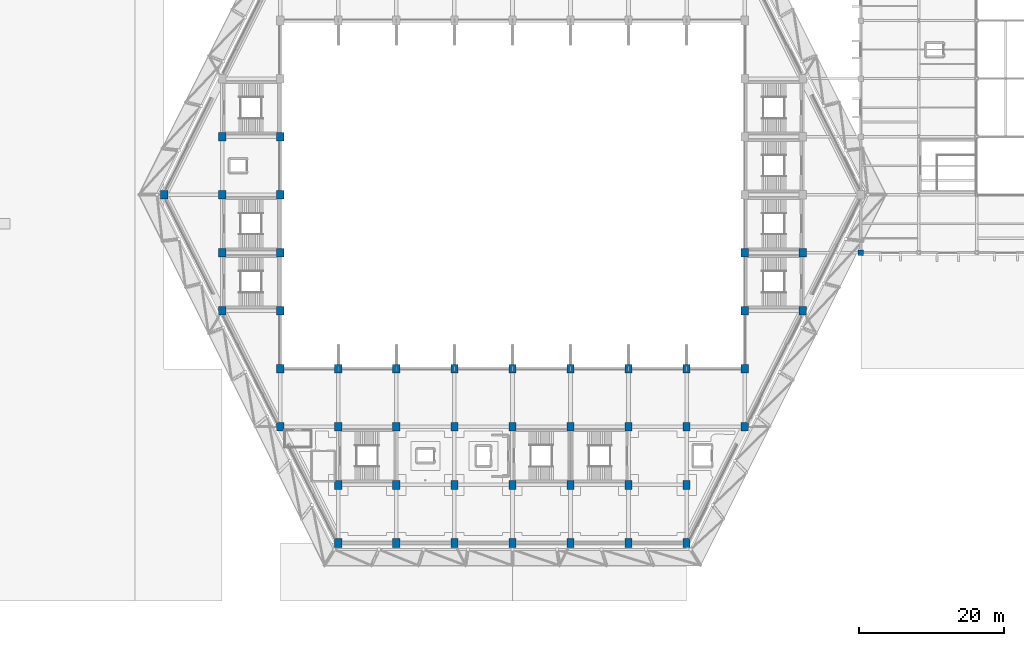
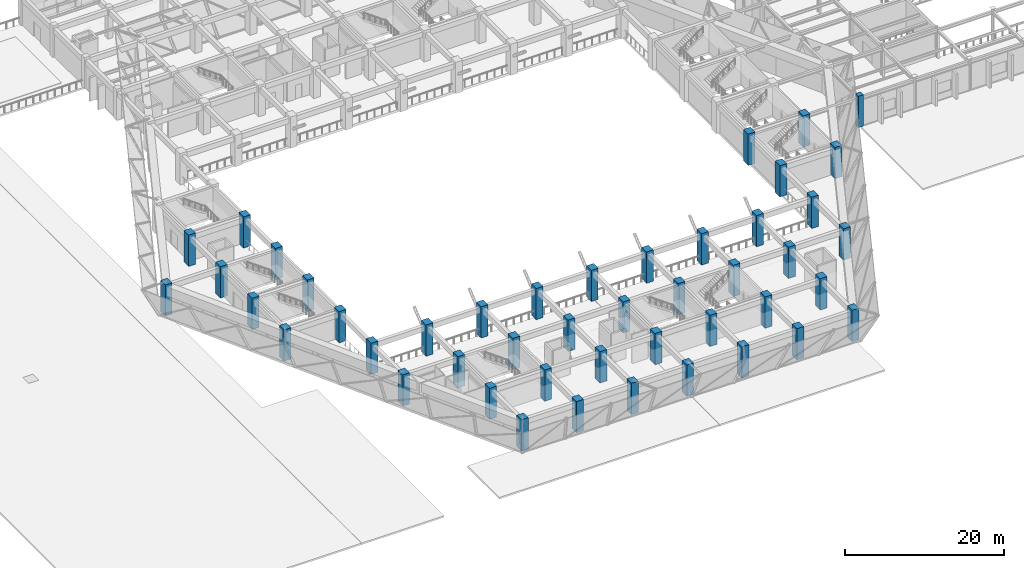
# One storey, part 1 of 46: 46 columns.
"""IFC4 building model written with IfcOpenShell, lengths in metres."""

from ifc_helpers import new_model, si_unit, direction, frame, origin, origin_2d, place, context, subcontext, project, spatial, rectangle, extrude, material, material_profile, profile_set, type_object, element, save


model = new_model("IFC4")

# Units and contexts
model_context = context("Model", 3, precision=1e-05, world=origin(), true_north=direction((0.0, 1.0)))
body_context = subcontext(model_context, "Body", "Model", "MODEL_VIEW")
ifc_project = project(units=[si_unit("LENGTHUNIT", "METRE"), si_unit("AREAUNIT", "SQUARE_METRE"), si_unit("VOLUMEUNIT", "CUBIC_METRE"), si_unit("PLANEANGLEUNIT", "RADIAN"), si_unit("MASSUNIT", "GRAM", prefix="KILO")], contexts=[model_context])

# Site, building, storey
site_placement = place(None, origin())
site = spatial("IfcSite", under=ifc_project, at=site_placement, CompositionType="ELEMENT")
building_placement = place(site_placement, origin())
building = spatial("IfcBuilding", under=site, at=building_placement, Name="Tazarka Park Arena", CompositionType="ELEMENT")
storey_placement = place(building_placement, frame((0.0, 0.0, 10.199951171875)))
storey = spatial("IfcBuildingStorey", under=building, at=storey_placement, Name="L02", CompositionType="ELEMENT", Elevation=10.199951171875)

# Columns
ifc_material_1 = material(Name="Concrete C50/60", Category="concrete")
ifc_material_profile_1 = material_profile(ifc_material_1, rectangle(XDim=1.0, YDim=1.199951171875, at=origin_2d()), Name="Concrete C50/60")
ifc_profile_set_1 = profile_set([ifc_material_profile_1], Name="Concrete C50/60")
column_type_1 = type_object("IfcColumnType", Name="COL-C-04", PredefinedType="COLUMN", material=ifc_profile_set_1)
for number, where, z_axis, x_axis, name in (
    (1, (48.0, 64.0, 0.0), (0.0, 0.0, 1.0), (1.0, 0.0, 0.0), "CLM-L02-06-08"),
    (2, (64.0, 32.0, 0.0), (0.0, 0.0, 1.0), (1.0, 0.0, 0.0), "CLM-L02-08-04"),
    (3, (72.0, 24.0, 0.0), (0.0, 0.0, 1.0), (1.0, 0.0, 0.0), "CLM-L02-09-03"),
    (4, (72.0, 32.0, 0.0), (0.0, 0.0, 1.0), (1.0, 0.0, 0.0), "CLM-L02-09-04"),
    (5, (80.0, 24.0, 0.0), (0.0, 0.0, 1.0), (1.0, 0.0, 0.0), "CLM-L02-10-03"),
    (6, (80.0, 32.0, 0.0), (0.0, 0.0, 1.0), (1.0, 0.0, 0.0), "CLM-L02-10-04"),
    (7, (88.0, 24.0, 0.0), (0.0, 0.0, 1.0), (1.0, 0.0, 0.0), "CLM-L02-11-03"),
    (8, (88.0, 32.0, 0.0), (0.0, 0.0, 1.0), (1.0, 0.0, 0.0), "CLM-L02-11-04"),
    (9, (96.0, 24.0, 0.0), (0.0, 0.0, 1.0), (1.0, 0.0, 0.0), "CLM-L02-12-03"),
    (10, (96.0, 32.0, 0.0), (0.0, 0.0, 1.0), (1.0, 0.0, 0.0), "CLM-L02-12-04"),
    (11, (104.0, 24.0, 0.0), (0.0, 0.0, 1.0), (1.0, 0.0, 0.0), "CLM-L02-13-03"),
    (12, (104.0, 32.0, 0.0), (0.0, 0.0, 1.0), (1.0, 0.0, 0.0), "CLM-L02-13-04"),
    (13, (112.0, 32.0, 0.0), (0.0, 0.0, 1.0), (1.0, 0.0, 0.0), "CLM-L02-14-04"),
    (14, (128.0, 56.0, 0.0), (0.0, 0.0, 1.0), (1.0, 0.0, 0.0), "CLM-L02-16-07"),
):
    element("IfcColumn", number, at=place(storey_placement, frame(where, z_axis=z_axis, x_axis=x_axis)), inside=storey, type_object=column_type_1, Name=name, PredefinedType="COLUMN", context=body_context, shape_type="SweptSolid", body=[
        extrude(rectangle(XDim=1.0, YDim=1.199951171875, at=origin_2d()), origin(), (0.0, 0.0, 1.0), 4.800048828125),
    ])
ifc_material_2 = material(Name="Concrete C40/50", Category="concrete")
ifc_material_profile_2 = material_profile(ifc_material_2, rectangle(XDim=0.75, YDim=0.75, at=origin_2d()), Name="Concrete C40/50")
ifc_profile_set_2 = profile_set([ifc_material_profile_2], Name="Concrete C40/50")
column_type_2 = type_object("IfcColumnType", Name="COL-C-06", PredefinedType="COLUMN", material=ifc_profile_set_2)
column_placement = place(storey_placement, frame((136.0, 56.0, 0.0), z_axis=(0.0, 0.0, 1.0), x_axis=(1.0, 0.0, 0.0)))
element("IfcColumn", 15, at=column_placement, inside=storey, type_object=column_type_2, Name="CLM-L02-17-07", PredefinedType="COLUMN", context=body_context, shape_type="SweptSolid", body=[
    extrude(rectangle(XDim=0.75, YDim=0.75, at=origin_2d()), origin(), (0.0, 0.0, 1.0), 4.800048828125),
])
ifc_material_3 = material(Name="Concrete C50/60", Category="concrete")
ifc_material_profile_3 = material_profile(ifc_material_3, rectangle(XDim=1.0, YDim=1.199951171875, at=origin_2d()), Name="Concrete C50/60")
ifc_profile_set_3 = profile_set([ifc_material_profile_3], Name="Concrete C50/60")
column_type_3 = type_object("IfcColumnType", Name="COL-C-07", PredefinedType="COLUMN", material=ifc_profile_set_3)
for number, where, z_axis, x_axis, name in (
    (16, (40.0, 64.0, 0.0), (0.0, 0.0, 1.0), (1.0, 0.0, 0.0), "CLM-L02-05-08"),
    (17, (48.0, 48.0, 0.0), (0.0, 0.0, 1.0), (1.0, 0.0, 0.0), "CLM-L02-06-06"),
    (18, (48.0, 56.0, 0.0), (0.0, 0.0, 1.0), (1.0, 0.0, 0.0), "CLM-L02-06-07"),
    (19, (48.0, 72.0, 0.0), (0.0, 0.0, 1.0), (1.0, 0.0, 0.0), "CLM-L02-06-09"),
    (20, (56.0, 32.0, 0.0), (0.0, 0.0, 1.0), (1.0, 0.0, 0.0), "CLM-L02-07-04"),
    (21, (56.0, 40.0, 0.0), (0.0, 0.0, 1.0), (1.0, 0.0, 0.0), "CLM-L02-07-05"),
    (22, (56.0, 48.0, 0.0), (0.0, 0.0, 1.0), (1.0, 0.0, 0.0), "CLM-L02-07-06"),
    (23, (56.0, 56.0, 0.0), (0.0, 0.0, 1.0), (1.0, 0.0, 0.0), "CLM-L02-07-07"),
    (24, (56.0, 64.0, 0.0), (0.0, 0.0, 1.0), (1.0, 0.0, 0.0), "CLM-L02-07-08"),
    (25, (56.0, 72.0, 0.0), (0.0, 0.0, 1.0), (1.0, 0.0, 0.0), "CLM-L02-07-09"),
    (26, (64.0, 16.0, 0.0), (0.0, 0.0, 1.0), (1.0, 0.0, 0.0), "CLM-L02-08-02"),
    (27, (64.0, 24.0, 0.0), (0.0, 0.0, 1.0), (1.0, 0.0, 0.0), "CLM-L02-08-03"),
    (28, (64.0, 40.0, 0.0), (0.0, 0.0, 1.0), (1.0, 0.0, 0.0), "CLM-L02-08-05"),
    (29, (72.0, 16.0, 0.0), (0.0, 0.0, 1.0), (1.0, 0.0, 0.0), "CLM-L02-09-02"),
    (30, (72.0, 40.0, 0.0), (0.0, 0.0, 1.0), (1.0, 0.0, 0.0), "CLM-L02-09-05"),
    (31, (80.0, 16.0, 0.0), (0.0, 0.0, 1.0), (1.0, 0.0, 0.0), "CLM-L02-10-02"),
    (32, (80.0, 40.0, 0.0), (0.0, 0.0, 1.0), (1.0, 0.0, 0.0), "CLM-L02-10-05"),
    (33, (88.0, 16.0, 0.0), (0.0, 0.0, 1.0), (1.0, 0.0, 0.0), "CLM-L02-11-02"),
    (34, (88.0, 40.0, 0.0), (0.0, 0.0, 1.0), (1.0, 0.0, 0.0), "CLM-L02-11-05"),
    (35, (96.0, 16.0, 0.0), (0.0, 0.0, 1.0), (1.0, 0.0, 0.0), "CLM-L02-12-02"),
    (36, (96.0, 40.0, 0.0), (0.0, 0.0, 1.0), (1.0, 0.0, 0.0), "CLM-L02-12-05"),
    (37, (104.0, 16.0, 0.0), (0.0, 0.0, 1.0), (1.0, 0.0, 0.0), "CLM-L02-13-02"),
    (38, (104.0, 40.0, 0.0), (0.0, 0.0, 1.0), (1.0, 0.0, 0.0), "CLM-L02-13-05"),
    (39, (112.0, 16.0, 0.0), (0.0, 0.0, 1.0), (1.0, 0.0, 0.0), "CLM-L02-14-02"),
    (40, (112.0, 24.0, 0.0), (0.0, 0.0, 1.0), (1.0, 0.0, 0.0), "CLM-L02-14-03"),
    (41, (112.0, 40.0, 0.0), (0.0, 0.0, 1.0), (1.0, 0.0, 0.0), "CLM-L02-14-05"),
    (42, (120.0, 32.0, 0.0), (0.0, 0.0, 1.0), (1.0, 0.0, 0.0), "CLM-L02-15-04"),
    (43, (120.0, 40.0, 0.0), (0.0, 0.0, 1.0), (1.0, 0.0, 0.0), "CLM-L02-15-05"),
    (44, (120.0, 48.0, 0.0), (0.0, 0.0, 1.0), (1.0, 0.0, 0.0), "CLM-L02-15-06"),
    (45, (120.0, 56.0, 0.0), (0.0, 0.0, 1.0), (1.0, 0.0, 0.0), "CLM-L02-15-07"),
    (46, (128.0, 48.0, 0.0), (0.0, 0.0, 1.0), (1.0, 0.0, 0.0), "CLM-L02-16-06"),
):
    element("IfcColumn", number, at=place(storey_placement, frame(where, z_axis=z_axis, x_axis=x_axis)), inside=storey, type_object=column_type_3, Name=name, PredefinedType="COLUMN", context=body_context, shape_type="SweptSolid", body=[
        extrude(rectangle(XDim=1.0, YDim=1.199951171875, at=origin_2d()), origin(), (0.0, 0.0, 1.0), 4.800048828125),
    ])

save(model, "model.ifc")
